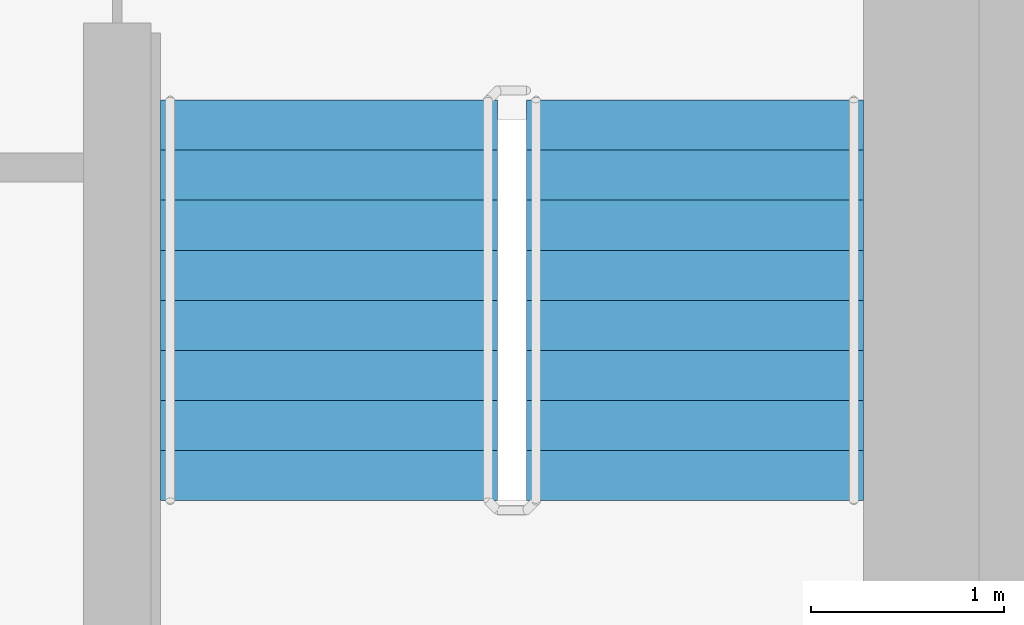
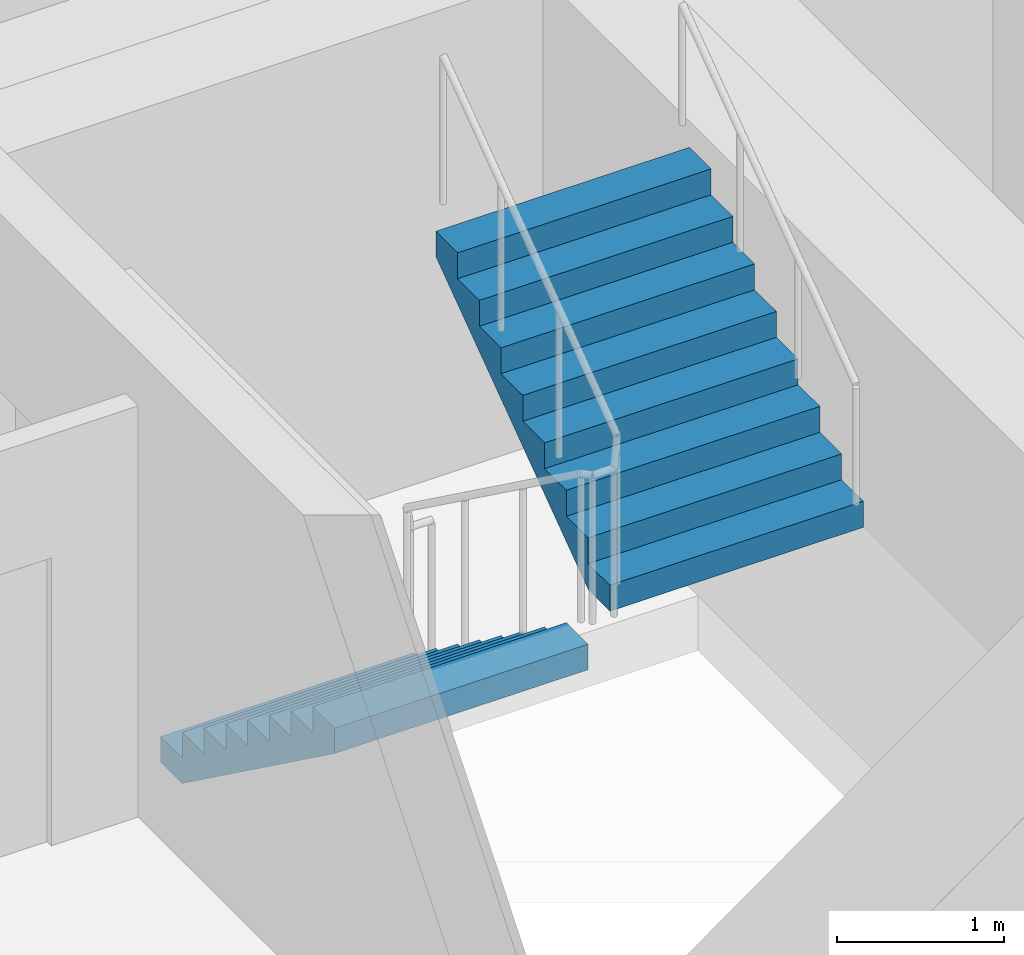
# One storey, part 14 of 18: 2 stair flights, 1 element without a shape of its own.
"""IFC4 building model written with IfcOpenShell, lengths in metres."""

from ifc_helpers import new_model, si_unit, direction, frame, origin, place, context, subcontext, project, spatial, faceted_brep, material, type_object, element, aggregate, save


model = new_model("IFC4")

# Units and contexts
model_context = context("Model", 3, precision=1e-05, world=origin(), true_north=direction((0.0, 1.0)))
body_context = subcontext(model_context, "Body", "Model", "MODEL_VIEW")
ifc_project = project(units=[si_unit("LENGTHUNIT", "METRE"), si_unit("AREAUNIT", "SQUARE_METRE"), si_unit("VOLUMEUNIT", "CUBIC_METRE"), si_unit("PLANEANGLEUNIT", "RADIAN"), si_unit("MASSUNIT", "GRAM", prefix="KILO")], contexts=[model_context])

# Site, building, storey
site_placement = place(None, origin())
site = spatial("IfcSite", under=ifc_project, at=site_placement, CompositionType="ELEMENT")
building_placement = place(site_placement, origin())
building = spatial("IfcBuilding", under=site, at=building_placement, Name="Ipe Terrace Towers", CompositionType="ELEMENT")
storey_placement = place(building_placement, frame((0.0, 0.0, 209.60009765625)))
storey = spatial("IfcBuildingStorey", under=building, at=storey_placement, Name="L58", CompositionType="ELEMENT", Elevation=209.60009765625)

# Stair, stair flights
ifc_material_1 = material(Name="Concrete C30/37", Category="concrete")
stair_type = type_object("IfcStairType", Name="Protected exit stair", PredefinedType="HALF_TURN_STAIR", material=ifc_material_1)
stair_placement = place(storey_placement, origin())
stair = element("IfcStair", 1, at=stair_placement, inside=storey, type_object=stair_type, Name="L58 Exit stair T2-C2", PredefinedType="HALF_TURN_STAIR")
ifc_material_2 = material(Name="Concrete C30/37", Category="concrete")
stair_flight_type = type_object("IfcStairFlightType", Name="Exit stair flight 1750", PredefinedType="STRAIGHT", material=ifc_material_2)
stair_flight_1_placement = place(storey_placement, frame((38.77490234375, -9.699951171875, 0.0), z_axis=(0.0, 0.0, 1.0), x_axis=(0.0, -1.0, 0.0)))
stair_flight_1 = element("IfcStairFlight", 2, at=stair_flight_1_placement, type_object=stair_flight_type, Name="T2-ST2 flight 1", NumberOfRisers=9, NumberOfTreads=8, PredefinedType="STRAIGHT", RiserHeight=0.188888889, TreadLength=0.26, context=body_context, shape_type="Brep", body=[
    faceted_brep([(0.255126953125, -0.875, 0.0), (2.080078125, -0.875, 1.325927734375), (2.080078125, -0.875, 1.51123046875), (1.820068359375, -0.875, 1.51123046875), (1.820068359375, -0.875, 1.322265625), (1.56005859375, -0.875, 1.322265625), (1.56005859375, -0.875, 1.13330078125), (1.300048828125, -0.875, 1.13330078125), (1.300048828125, -0.875, 0.9443359375), (1.0400390625, -0.875, 0.9443359375), (1.0400390625, -0.875, 0.755615234375), (0.780029296875, -0.875, 0.755615234375), (0.780029296875, -0.875, 0.566650390625), (0.52001953125, -0.875, 0.566650390625), (0.52001953125, -0.875, 0.377685546875), (0.260009765625, -0.875, 0.377685546875), (0.260009765625, -0.875, 0.18896484375), (0.0, -0.875, 0.18896484375), (0.0, -0.875, 0.0), (0.0, 0.875, 0.0), (0.0, 0.875, 0.18896484375), (0.260009765625, 0.875, 0.18896484375), (0.260009765625, 0.875, 0.377685546875), (0.52001953125, 0.875, 0.377685546875), (0.52001953125, 0.875, 0.566650390625), (0.780029296875, 0.875, 0.566650390625), (0.780029296875, 0.875, 0.755615234375), (1.0400390625, 0.875, 0.755615234375), (1.0400390625, 0.875, 0.9443359375), (1.300048828125, 0.875, 0.9443359375), (1.300048828125, 0.875, 1.13330078125), (1.56005859375, 0.875, 1.13330078125), (1.56005859375, 0.875, 1.322265625), (1.820068359375, 0.875, 1.322265625), (1.820068359375, 0.875, 1.51123046875), (2.080078125, 0.875, 1.51123046875), (2.080078125, 0.875, 1.325927734375), (0.255126953125, 0.875, 0.0), (0.0, -0.300048828125, 0.18896484375), (0.0, -0.1201171875, 0.18896484375), (0.0, -0.06005859375, 0.18896484375), (0.0, -0.030029296875, 0.18896484375), (0.0, -0.010009765625, 0.18896484375), (0.0, 0.0, 0.18896484375), (0.0, 0.010009765625, 0.18896484375), (0.0, 0.030029296875, 0.18896484375), (0.0, 0.06005859375, 0.18896484375), (0.0, 0.1201171875, 0.18896484375), (0.0, 0.300048828125, 0.18896484375), (0.0, 0.300048828125, 0.0), (0.0, 0.1201171875, 0.0), (0.0, 0.06005859375, 0.0), (0.0, 0.030029296875, 0.0), (0.0, 0.010009765625, 0.0), (0.0, 0.0, 0.0), (0.0, -0.010009765625, 0.0), (0.0, -0.030029296875, 0.0), (0.0, -0.06005859375, 0.0), (0.0, -0.1201171875, 0.0), (0.0, -0.300048828125, 0.0), (0.260009765625, -0.300048828125, 0.18896484375), (0.260009765625, -0.1201171875, 0.18896484375), (0.260009765625, -0.06005859375, 0.18896484375), (0.260009765625, -0.030029296875, 0.18896484375), (0.260009765625, -0.010009765625, 0.18896484375), (0.260009765625, 0.0, 0.18896484375), (0.260009765625, 0.010009765625, 0.18896484375), (0.260009765625, 0.030029296875, 0.18896484375), (0.260009765625, 0.06005859375, 0.18896484375), (0.260009765625, 0.1201171875, 0.18896484375), (0.260009765625, 0.300048828125, 0.18896484375), (0.260009765625, -0.300048828125, 0.377685546875), (0.260009765625, -0.1201171875, 0.377685546875), (0.260009765625, -0.06005859375, 0.377685546875), (0.260009765625, -0.030029296875, 0.377685546875), (0.260009765625, -0.010009765625, 0.377685546875), (0.260009765625, 0.0, 0.377685546875), (0.260009765625, 0.010009765625, 0.377685546875), (0.260009765625, 0.030029296875, 0.377685546875), (0.260009765625, 0.06005859375, 0.377685546875), (0.260009765625, 0.1201171875, 0.377685546875), (0.260009765625, 0.300048828125, 0.377685546875), (0.52001953125, -0.300048828125, 0.377685546875), (0.52001953125, -0.1201171875, 0.377685546875), (0.52001953125, -0.06005859375, 0.377685546875), (0.52001953125, -0.030029296875, 0.377685546875), (0.52001953125, -0.010009765625, 0.377685546875), (0.52001953125, 0.0, 0.377685546875), (0.52001953125, 0.010009765625, 0.377685546875), (0.52001953125, 0.030029296875, 0.377685546875), (0.52001953125, 0.06005859375, 0.377685546875), (0.52001953125, 0.1201171875, 0.377685546875), (0.52001953125, 0.300048828125, 0.377685546875), (0.52001953125, -0.300048828125, 0.566650390625), (0.52001953125, -0.1201171875, 0.566650390625), (0.52001953125, -0.06005859375, 0.566650390625), (0.52001953125, -0.030029296875, 0.566650390625), (0.52001953125, -0.010009765625, 0.566650390625), (0.52001953125, 0.0, 0.566650390625), (0.52001953125, 0.010009765625, 0.566650390625), (0.52001953125, 0.030029296875, 0.566650390625), (0.52001953125, 0.06005859375, 0.566650390625), (0.52001953125, 0.1201171875, 0.566650390625), (0.52001953125, 0.300048828125, 0.566650390625), (0.780029296875, -0.300048828125, 0.566650390625), (0.780029296875, -0.1201171875, 0.566650390625), (0.780029296875, -0.06005859375, 0.566650390625), (0.780029296875, -0.030029296875, 0.566650390625), (0.780029296875, -0.010009765625, 0.566650390625), (0.780029296875, 0.0, 0.566650390625), (0.780029296875, 0.010009765625, 0.566650390625), (0.780029296875, 0.030029296875, 0.566650390625), (0.780029296875, 0.06005859375, 0.566650390625), (0.780029296875, 0.1201171875, 0.566650390625), (0.780029296875, 0.300048828125, 0.566650390625), (0.780029296875, -0.300048828125, 0.755615234375), (0.780029296875, -0.1201171875, 0.755615234375), (0.780029296875, -0.06005859375, 0.755615234375), (0.780029296875, -0.030029296875, 0.755615234375), (0.780029296875, -0.010009765625, 0.755615234375), (0.780029296875, 0.0, 0.755615234375), (0.780029296875, 0.010009765625, 0.755615234375), (0.780029296875, 0.030029296875, 0.755615234375), (0.780029296875, 0.06005859375, 0.755615234375), (0.780029296875, 0.1201171875, 0.755615234375), (0.780029296875, 0.300048828125, 0.755615234375), (1.0400390625, -0.300048828125, 0.755615234375), (1.0400390625, -0.1201171875, 0.755615234375), (1.0400390625, -0.06005859375, 0.755615234375), (1.0400390625, -0.030029296875, 0.755615234375), (1.0400390625, -0.010009765625, 0.755615234375), (1.0400390625, 0.0, 0.755615234375), (1.0400390625, 0.010009765625, 0.755615234375), (1.0400390625, 0.030029296875, 0.755615234375), (1.0400390625, 0.06005859375, 0.755615234375), (1.0400390625, 0.1201171875, 0.755615234375), (1.0400390625, 0.300048828125, 0.755615234375), (1.0400390625, -0.300048828125, 0.9443359375), (1.0400390625, -0.1201171875, 0.9443359375), (1.0400390625, -0.06005859375, 0.9443359375), (1.0400390625, -0.030029296875, 0.9443359375), (1.0400390625, -0.010009765625, 0.9443359375), (1.0400390625, 0.0, 0.9443359375), (1.0400390625, 0.010009765625, 0.9443359375), (1.0400390625, 0.030029296875, 0.9443359375), (1.0400390625, 0.06005859375, 0.9443359375), (1.0400390625, 0.1201171875, 0.9443359375), (1.0400390625, 0.300048828125, 0.9443359375), (1.300048828125, -0.300048828125, 0.9443359375), (1.300048828125, -0.1201171875, 0.9443359375), (1.300048828125, -0.06005859375, 0.9443359375), (1.300048828125, -0.030029296875, 0.9443359375), (1.300048828125, -0.010009765625, 0.9443359375), (1.300048828125, 0.0, 0.9443359375), (1.300048828125, 0.010009765625, 0.9443359375), (1.300048828125, 0.030029296875, 0.9443359375), (1.300048828125, 0.06005859375, 0.9443359375), (1.300048828125, 0.1201171875, 0.9443359375), (1.300048828125, 0.300048828125, 0.9443359375), (1.300048828125, -0.300048828125, 1.13330078125), (1.300048828125, -0.1201171875, 1.13330078125), (1.300048828125, -0.06005859375, 1.13330078125), (1.300048828125, -0.030029296875, 1.13330078125), (1.300048828125, -0.010009765625, 1.13330078125), (1.300048828125, 0.0, 1.13330078125), (1.300048828125, 0.010009765625, 1.13330078125), (1.300048828125, 0.030029296875, 1.13330078125), (1.300048828125, 0.06005859375, 1.13330078125), (1.300048828125, 0.1201171875, 1.13330078125), (1.300048828125, 0.300048828125, 1.13330078125), (1.56005859375, -0.300048828125, 1.13330078125), (1.56005859375, -0.1201171875, 1.13330078125), (1.56005859375, -0.06005859375, 1.13330078125), (1.56005859375, -0.030029296875, 1.13330078125), (1.56005859375, -0.010009765625, 1.13330078125), (1.56005859375, 0.0, 1.13330078125), (1.56005859375, 0.010009765625, 1.13330078125), (1.56005859375, 0.030029296875, 1.13330078125), (1.56005859375, 0.06005859375, 1.13330078125), (1.56005859375, 0.1201171875, 1.13330078125), (1.56005859375, 0.300048828125, 1.13330078125), (1.56005859375, -0.300048828125, 1.322265625), (1.56005859375, -0.1201171875, 1.322265625), (1.56005859375, -0.06005859375, 1.322265625), (1.56005859375, -0.030029296875, 1.322265625), (1.56005859375, -0.010009765625, 1.322265625), (1.56005859375, 0.0, 1.322265625), (1.56005859375, 0.010009765625, 1.322265625), (1.56005859375, 0.030029296875, 1.322265625), (1.56005859375, 0.06005859375, 1.322265625), (1.56005859375, 0.1201171875, 1.322265625), (1.56005859375, 0.300048828125, 1.322265625), (1.820068359375, -0.300048828125, 1.322265625), (1.820068359375, -0.1201171875, 1.322265625), (1.820068359375, -0.06005859375, 1.322265625), (1.820068359375, -0.030029296875, 1.322265625), (1.820068359375, -0.010009765625, 1.322265625), (1.820068359375, 0.0, 1.322265625), (1.820068359375, 0.010009765625, 1.322265625), (1.820068359375, 0.030029296875, 1.322265625), (1.820068359375, 0.06005859375, 1.322265625), (1.820068359375, 0.1201171875, 1.322265625), (1.820068359375, 0.300048828125, 1.322265625), (1.820068359375, -0.300048828125, 1.51123046875), (1.820068359375, -0.1201171875, 1.51123046875), (1.820068359375, -0.06005859375, 1.51123046875), (1.820068359375, -0.030029296875, 1.51123046875), (1.820068359375, -0.010009765625, 1.51123046875), (1.820068359375, 0.0, 1.51123046875), (1.820068359375, 0.010009765625, 1.51123046875), (1.820068359375, 0.030029296875, 1.51123046875), (1.820068359375, 0.06005859375, 1.51123046875), (1.820068359375, 0.1201171875, 1.51123046875), (1.820068359375, 0.300048828125, 1.51123046875), (2.080078125, -0.300048828125, 1.51123046875), (2.080078125, -0.1201171875, 1.51123046875), (2.080078125, -0.06005859375, 1.51123046875), (2.080078125, -0.030029296875, 1.51123046875), (2.080078125, -0.010009765625, 1.51123046875), (2.080078125, 0.0, 1.51123046875), (2.080078125, 0.010009765625, 1.51123046875), (2.080078125, 0.030029296875, 1.51123046875), (2.080078125, 0.06005859375, 1.51123046875), (2.080078125, 0.1201171875, 1.51123046875), (2.080078125, 0.300048828125, 1.51123046875), (2.080078125, -0.300048828125, 1.325927734375), (2.080078125, -0.1201171875, 1.325927734375), (2.080078125, -0.06005859375, 1.325927734375), (2.080078125, -0.030029296875, 1.325927734375), (2.080078125, -0.010009765625, 1.325927734375), (2.080078125, 0.0, 1.325927734375), (2.080078125, 0.010009765625, 1.325927734375), (2.080078125, 0.030029296875, 1.325927734375), (2.080078125, 0.06005859375, 1.325927734375), (2.080078125, 0.1201171875, 1.325927734375), (2.080078125, 0.300048828125, 1.325927734375), (0.255126953125, -0.300048828125, 0.0), (0.255126953125, -0.1201171875, 0.0), (0.255126953125, -0.06005859375, 0.0), (0.255126953125, -0.030029296875, 0.0), (0.255126953125, -0.010009765625, 0.0), (0.255126953125, 0.0, 0.0), (0.255126953125, 0.010009765625, 0.0), (0.255126953125, 0.030029296875, 0.0), (0.255126953125, 0.06005859375, 0.0), (0.255126953125, 0.1201171875, 0.0), (0.255126953125, 0.300048828125, 0.0)], [[[0, 1, 2, 3, 4, 5, 6, 7, 8, 9, 10, 11, 12, 13, 14, 15, 16, 17, 18]], [[19, 20, 21, 22, 23, 24, 25, 26, 27, 28, 29, 30, 31, 32, 33, 34, 35, 36, 37]], [[17, 38, 39, 40, 41, 42, 43, 44, 45, 46, 47, 48, 20, 19, 49, 50, 51, 52, 53, 54, 55, 56, 57, 58, 59, 18]], [[16, 60, 61, 62, 63, 64, 65, 66, 67, 68, 69, 70, 21, 20, 48, 47, 46, 45, 44, 43, 42, 41, 40, 39, 38, 17]], [[15, 71, 72, 73, 74, 75, 76, 77, 78, 79, 80, 81, 22, 21, 70, 69, 68, 67, 66, 65, 64, 63, 62, 61, 60, 16]], [[14, 82, 83, 84, 85, 86, 87, 88, 89, 90, 91, 92, 23, 22, 81, 80, 79, 78, 77, 76, 75, 74, 73, 72, 71, 15]], [[13, 93, 94, 95, 96, 97, 98, 99, 100, 101, 102, 103, 24, 23, 92, 91, 90, 89, 88, 87, 86, 85, 84, 83, 82, 14]], [[12, 104, 105, 106, 107, 108, 109, 110, 111, 112, 113, 114, 25, 24, 103, 102, 101, 100, 99, 98, 97, 96, 95, 94, 93, 13]], [[11, 115, 116, 117, 118, 119, 120, 121, 122, 123, 124, 125, 26, 25, 114, 113, 112, 111, 110, 109, 108, 107, 106, 105, 104, 12]], [[10, 126, 127, 128, 129, 130, 131, 132, 133, 134, 135, 136, 27, 26, 125, 124, 123, 122, 121, 120, 119, 118, 117, 116, 115, 11]], [[9, 137, 138, 139, 140, 141, 142, 143, 144, 145, 146, 147, 28, 27, 136, 135, 134, 133, 132, 131, 130, 129, 128, 127, 126, 10]], [[8, 148, 149, 150, 151, 152, 153, 154, 155, 156, 157, 158, 29, 28, 147, 146, 145, 144, 143, 142, 141, 140, 139, 138, 137, 9]], [[7, 159, 160, 161, 162, 163, 164, 165, 166, 167, 168, 169, 30, 29, 158, 157, 156, 155, 154, 153, 152, 151, 150, 149, 148, 8]], [[6, 170, 171, 172, 173, 174, 175, 176, 177, 178, 179, 180, 31, 30, 169, 168, 167, 166, 165, 164, 163, 162, 161, 160, 159, 7]], [[5, 181, 182, 183, 184, 185, 186, 187, 188, 189, 190, 191, 32, 31, 180, 179, 178, 177, 176, 175, 174, 173, 172, 171, 170, 6]], [[4, 192, 193, 194, 195, 196, 197, 198, 199, 200, 201, 202, 33, 32, 191, 190, 189, 188, 187, 186, 185, 184, 183, 182, 181, 5]], [[3, 203, 204, 205, 206, 207, 208, 209, 210, 211, 212, 213, 34, 33, 202, 201, 200, 199, 198, 197, 196, 195, 194, 193, 192, 4]], [[2, 214, 215, 216, 217, 218, 219, 220, 221, 222, 223, 224, 35, 34, 213, 212, 211, 210, 209, 208, 207, 206, 205, 204, 203, 3]], [[1, 225, 226, 227, 228, 229, 230, 231, 232, 233, 234, 235, 36, 35, 224, 223, 222, 221, 220, 219, 218, 217, 216, 215, 214, 2]], [[0, 236, 237, 238, 239, 240, 241, 242, 243, 244, 245, 246, 37, 36, 235, 234, 233, 232, 231, 230, 229, 228, 227, 226, 225, 1]], [[18, 59, 58, 57, 56, 55, 54, 53, 52, 51, 50, 49, 19, 37, 246, 245, 244, 243, 242, 241, 240, 239, 238, 237, 236, 0]]]),
])
stair_flight_2_placement = place(storey_placement, frame((40.675048828125, -11.780029296875, 1.699951171875), z_axis=(0.0, 0.0, 1.0), x_axis=(0.0, 1.0, 0.0)))
stair_flight_2 = element("IfcStairFlight", 3, at=stair_flight_2_placement, type_object=stair_flight_type, Name="T2-ST2 flight 2", NumberOfRisers=9, NumberOfTreads=8, PredefinedType="STRAIGHT", RiserHeight=0.188888889, TreadLength=0.26, context=body_context, shape_type="Brep", body=[
    faceted_brep([(0.255126953125, -0.875, 0.0), (2.080078125, -0.875, 1.325927734375), (2.080078125, -0.875, 1.51123046875), (1.820068359375, -0.875, 1.51123046875), (1.820068359375, -0.875, 1.322265625), (1.56005859375, -0.875, 1.322265625), (1.56005859375, -0.875, 1.13330078125), (1.300048828125, -0.875, 1.13330078125), (1.300048828125, -0.875, 0.9443359375), (1.0400390625, -0.875, 0.9443359375), (1.0400390625, -0.875, 0.755615234375), (0.780029296875, -0.875, 0.755615234375), (0.780029296875, -0.875, 0.566650390625), (0.52001953125, -0.875, 0.566650390625), (0.52001953125, -0.875, 0.377685546875), (0.260009765625, -0.875, 0.377685546875), (0.260009765625, -0.875, 0.18896484375), (0.0, -0.875, 0.18896484375), (0.0, -0.875, 0.0), (0.0, 0.875, 0.0), (0.0, 0.875, 0.18896484375), (0.260009765625, 0.875, 0.18896484375), (0.260009765625, 0.875, 0.377685546875), (0.52001953125, 0.875, 0.377685546875), (0.52001953125, 0.875, 0.566650390625), (0.780029296875, 0.875, 0.566650390625), (0.780029296875, 0.875, 0.755615234375), (1.0400390625, 0.875, 0.755615234375), (1.0400390625, 0.875, 0.9443359375), (1.300048828125, 0.875, 0.9443359375), (1.300048828125, 0.875, 1.13330078125), (1.56005859375, 0.875, 1.13330078125), (1.56005859375, 0.875, 1.322265625), (1.820068359375, 0.875, 1.322265625), (1.820068359375, 0.875, 1.51123046875), (2.080078125, 0.875, 1.51123046875), (2.080078125, 0.875, 1.325927734375), (0.255126953125, 0.875, 0.0), (0.0, -0.300048828125, 0.18896484375), (0.0, -0.1201171875, 0.18896484375), (0.0, -0.06005859375, 0.18896484375), (0.0, -0.030029296875, 0.18896484375), (0.0, -0.010009765625, 0.18896484375), (0.0, 0.0, 0.18896484375), (0.0, 0.010009765625, 0.18896484375), (0.0, 0.030029296875, 0.18896484375), (0.0, 0.06005859375, 0.18896484375), (0.0, 0.1201171875, 0.18896484375), (0.0, 0.300048828125, 0.18896484375), (0.0, 0.300048828125, 0.0), (0.0, 0.1201171875, 0.0), (0.0, 0.06005859375, 0.0), (0.0, 0.030029296875, 0.0), (0.0, 0.010009765625, 0.0), (0.0, 0.0, 0.0), (0.0, -0.010009765625, 0.0), (0.0, -0.030029296875, 0.0), (0.0, -0.06005859375, 0.0), (0.0, -0.1201171875, 0.0), (0.0, -0.300048828125, 0.0), (0.260009765625, -0.300048828125, 0.18896484375), (0.260009765625, -0.1201171875, 0.18896484375), (0.260009765625, -0.06005859375, 0.18896484375), (0.260009765625, -0.030029296875, 0.18896484375), (0.260009765625, -0.010009765625, 0.18896484375), (0.260009765625, 0.0, 0.18896484375), (0.260009765625, 0.010009765625, 0.18896484375), (0.260009765625, 0.030029296875, 0.18896484375), (0.260009765625, 0.06005859375, 0.18896484375), (0.260009765625, 0.1201171875, 0.18896484375), (0.260009765625, 0.300048828125, 0.18896484375), (0.260009765625, -0.300048828125, 0.377685546875), (0.260009765625, -0.1201171875, 0.377685546875), (0.260009765625, -0.06005859375, 0.377685546875), (0.260009765625, -0.030029296875, 0.377685546875), (0.260009765625, -0.010009765625, 0.377685546875), (0.260009765625, 0.0, 0.377685546875), (0.260009765625, 0.010009765625, 0.377685546875), (0.260009765625, 0.030029296875, 0.377685546875), (0.260009765625, 0.06005859375, 0.377685546875), (0.260009765625, 0.1201171875, 0.377685546875), (0.260009765625, 0.300048828125, 0.377685546875), (0.52001953125, -0.300048828125, 0.377685546875), (0.52001953125, -0.1201171875, 0.377685546875), (0.52001953125, -0.06005859375, 0.377685546875), (0.52001953125, -0.030029296875, 0.377685546875), (0.52001953125, -0.010009765625, 0.377685546875), (0.52001953125, 0.0, 0.377685546875), (0.52001953125, 0.010009765625, 0.377685546875), (0.52001953125, 0.030029296875, 0.377685546875), (0.52001953125, 0.06005859375, 0.377685546875), (0.52001953125, 0.1201171875, 0.377685546875), (0.52001953125, 0.300048828125, 0.377685546875), (0.52001953125, -0.300048828125, 0.566650390625), (0.52001953125, -0.1201171875, 0.566650390625), (0.52001953125, -0.06005859375, 0.566650390625), (0.52001953125, -0.030029296875, 0.566650390625), (0.52001953125, -0.010009765625, 0.566650390625), (0.52001953125, 0.0, 0.566650390625), (0.52001953125, 0.010009765625, 0.566650390625), (0.52001953125, 0.030029296875, 0.566650390625), (0.52001953125, 0.06005859375, 0.566650390625), (0.52001953125, 0.1201171875, 0.566650390625), (0.52001953125, 0.300048828125, 0.566650390625), (0.780029296875, -0.300048828125, 0.566650390625), (0.780029296875, -0.1201171875, 0.566650390625), (0.780029296875, -0.06005859375, 0.566650390625), (0.780029296875, -0.030029296875, 0.566650390625), (0.780029296875, -0.010009765625, 0.566650390625), (0.780029296875, 0.0, 0.566650390625), (0.780029296875, 0.010009765625, 0.566650390625), (0.780029296875, 0.030029296875, 0.566650390625), (0.780029296875, 0.06005859375, 0.566650390625), (0.780029296875, 0.1201171875, 0.566650390625), (0.780029296875, 0.300048828125, 0.566650390625), (0.780029296875, -0.300048828125, 0.755615234375), (0.780029296875, -0.1201171875, 0.755615234375), (0.780029296875, -0.06005859375, 0.755615234375), (0.780029296875, -0.030029296875, 0.755615234375), (0.780029296875, -0.010009765625, 0.755615234375), (0.780029296875, 0.0, 0.755615234375), (0.780029296875, 0.010009765625, 0.755615234375), (0.780029296875, 0.030029296875, 0.755615234375), (0.780029296875, 0.06005859375, 0.755615234375), (0.780029296875, 0.1201171875, 0.755615234375), (0.780029296875, 0.300048828125, 0.755615234375), (1.0400390625, -0.300048828125, 0.755615234375), (1.0400390625, -0.1201171875, 0.755615234375), (1.0400390625, -0.06005859375, 0.755615234375), (1.0400390625, -0.030029296875, 0.755615234375), (1.0400390625, -0.010009765625, 0.755615234375), (1.0400390625, 0.0, 0.755615234375), (1.0400390625, 0.010009765625, 0.755615234375), (1.0400390625, 0.030029296875, 0.755615234375), (1.0400390625, 0.06005859375, 0.755615234375), (1.0400390625, 0.1201171875, 0.755615234375), (1.0400390625, 0.300048828125, 0.755615234375), (1.0400390625, -0.300048828125, 0.9443359375), (1.0400390625, -0.1201171875, 0.9443359375), (1.0400390625, -0.06005859375, 0.9443359375), (1.0400390625, -0.030029296875, 0.9443359375), (1.0400390625, -0.010009765625, 0.9443359375), (1.0400390625, 0.0, 0.9443359375), (1.0400390625, 0.010009765625, 0.9443359375), (1.0400390625, 0.030029296875, 0.9443359375), (1.0400390625, 0.06005859375, 0.9443359375), (1.0400390625, 0.1201171875, 0.9443359375), (1.0400390625, 0.300048828125, 0.9443359375), (1.300048828125, -0.300048828125, 0.9443359375), (1.300048828125, -0.1201171875, 0.9443359375), (1.300048828125, -0.06005859375, 0.9443359375), (1.300048828125, -0.030029296875, 0.9443359375), (1.300048828125, -0.010009765625, 0.9443359375), (1.300048828125, 0.0, 0.9443359375), (1.300048828125, 0.010009765625, 0.9443359375), (1.300048828125, 0.030029296875, 0.9443359375), (1.300048828125, 0.06005859375, 0.9443359375), (1.300048828125, 0.1201171875, 0.9443359375), (1.300048828125, 0.300048828125, 0.9443359375), (1.300048828125, -0.300048828125, 1.13330078125), (1.300048828125, -0.1201171875, 1.13330078125), (1.300048828125, -0.06005859375, 1.13330078125), (1.300048828125, -0.030029296875, 1.13330078125), (1.300048828125, -0.010009765625, 1.13330078125), (1.300048828125, 0.0, 1.13330078125), (1.300048828125, 0.010009765625, 1.13330078125), (1.300048828125, 0.030029296875, 1.13330078125), (1.300048828125, 0.06005859375, 1.13330078125), (1.300048828125, 0.1201171875, 1.13330078125), (1.300048828125, 0.300048828125, 1.13330078125), (1.56005859375, -0.300048828125, 1.13330078125), (1.56005859375, -0.1201171875, 1.13330078125), (1.56005859375, -0.06005859375, 1.13330078125), (1.56005859375, -0.030029296875, 1.13330078125), (1.56005859375, -0.010009765625, 1.13330078125), (1.56005859375, 0.0, 1.13330078125), (1.56005859375, 0.010009765625, 1.13330078125), (1.56005859375, 0.030029296875, 1.13330078125), (1.56005859375, 0.06005859375, 1.13330078125), (1.56005859375, 0.1201171875, 1.13330078125), (1.56005859375, 0.300048828125, 1.13330078125), (1.56005859375, -0.300048828125, 1.322265625), (1.56005859375, -0.1201171875, 1.322265625), (1.56005859375, -0.06005859375, 1.322265625), (1.56005859375, -0.030029296875, 1.322265625), (1.56005859375, -0.010009765625, 1.322265625), (1.56005859375, 0.0, 1.322265625), (1.56005859375, 0.010009765625, 1.322265625), (1.56005859375, 0.030029296875, 1.322265625), (1.56005859375, 0.06005859375, 1.322265625), (1.56005859375, 0.1201171875, 1.322265625), (1.56005859375, 0.300048828125, 1.322265625), (1.820068359375, -0.300048828125, 1.322265625), (1.820068359375, -0.1201171875, 1.322265625), (1.820068359375, -0.06005859375, 1.322265625), (1.820068359375, -0.030029296875, 1.322265625), (1.820068359375, -0.010009765625, 1.322265625), (1.820068359375, 0.0, 1.322265625), (1.820068359375, 0.010009765625, 1.322265625), (1.820068359375, 0.030029296875, 1.322265625), (1.820068359375, 0.06005859375, 1.322265625), (1.820068359375, 0.1201171875, 1.322265625), (1.820068359375, 0.300048828125, 1.322265625), (1.820068359375, -0.300048828125, 1.51123046875), (1.820068359375, -0.1201171875, 1.51123046875), (1.820068359375, -0.06005859375, 1.51123046875), (1.820068359375, -0.030029296875, 1.51123046875), (1.820068359375, -0.010009765625, 1.51123046875), (1.820068359375, 0.0, 1.51123046875), (1.820068359375, 0.010009765625, 1.51123046875), (1.820068359375, 0.030029296875, 1.51123046875), (1.820068359375, 0.06005859375, 1.51123046875), (1.820068359375, 0.1201171875, 1.51123046875), (1.820068359375, 0.300048828125, 1.51123046875), (2.080078125, -0.300048828125, 1.51123046875), (2.080078125, -0.1201171875, 1.51123046875), (2.080078125, -0.06005859375, 1.51123046875), (2.080078125, -0.030029296875, 1.51123046875), (2.080078125, -0.010009765625, 1.51123046875), (2.080078125, 0.0, 1.51123046875), (2.080078125, 0.010009765625, 1.51123046875), (2.080078125, 0.030029296875, 1.51123046875), (2.080078125, 0.06005859375, 1.51123046875), (2.080078125, 0.1201171875, 1.51123046875), (2.080078125, 0.300048828125, 1.51123046875), (2.080078125, -0.300048828125, 1.325927734375), (2.080078125, -0.1201171875, 1.325927734375), (2.080078125, -0.06005859375, 1.325927734375), (2.080078125, -0.030029296875, 1.325927734375), (2.080078125, -0.010009765625, 1.325927734375), (2.080078125, 0.0, 1.325927734375), (2.080078125, 0.010009765625, 1.325927734375), (2.080078125, 0.030029296875, 1.325927734375), (2.080078125, 0.06005859375, 1.325927734375), (2.080078125, 0.1201171875, 1.325927734375), (2.080078125, 0.300048828125, 1.325927734375), (0.255126953125, -0.300048828125, 0.0), (0.255126953125, -0.1201171875, 0.0), (0.255126953125, -0.06005859375, 0.0), (0.255126953125, -0.030029296875, 0.0), (0.255126953125, -0.010009765625, 0.0), (0.255126953125, 0.0, 0.0), (0.255126953125, 0.010009765625, 0.0), (0.255126953125, 0.030029296875, 0.0), (0.255126953125, 0.06005859375, 0.0), (0.255126953125, 0.1201171875, 0.0), (0.255126953125, 0.300048828125, 0.0)], [[[0, 1, 2, 3, 4, 5, 6, 7, 8, 9, 10, 11, 12, 13, 14, 15, 16, 17, 18]], [[19, 20, 21, 22, 23, 24, 25, 26, 27, 28, 29, 30, 31, 32, 33, 34, 35, 36, 37]], [[17, 38, 39, 40, 41, 42, 43, 44, 45, 46, 47, 48, 20, 19, 49, 50, 51, 52, 53, 54, 55, 56, 57, 58, 59, 18]], [[16, 60, 61, 62, 63, 64, 65, 66, 67, 68, 69, 70, 21, 20, 48, 47, 46, 45, 44, 43, 42, 41, 40, 39, 38, 17]], [[15, 71, 72, 73, 74, 75, 76, 77, 78, 79, 80, 81, 22, 21, 70, 69, 68, 67, 66, 65, 64, 63, 62, 61, 60, 16]], [[14, 82, 83, 84, 85, 86, 87, 88, 89, 90, 91, 92, 23, 22, 81, 80, 79, 78, 77, 76, 75, 74, 73, 72, 71, 15]], [[13, 93, 94, 95, 96, 97, 98, 99, 100, 101, 102, 103, 24, 23, 92, 91, 90, 89, 88, 87, 86, 85, 84, 83, 82, 14]], [[12, 104, 105, 106, 107, 108, 109, 110, 111, 112, 113, 114, 25, 24, 103, 102, 101, 100, 99, 98, 97, 96, 95, 94, 93, 13]], [[11, 115, 116, 117, 118, 119, 120, 121, 122, 123, 124, 125, 26, 25, 114, 113, 112, 111, 110, 109, 108, 107, 106, 105, 104, 12]], [[10, 126, 127, 128, 129, 130, 131, 132, 133, 134, 135, 136, 27, 26, 125, 124, 123, 122, 121, 120, 119, 118, 117, 116, 115, 11]], [[9, 137, 138, 139, 140, 141, 142, 143, 144, 145, 146, 147, 28, 27, 136, 135, 134, 133, 132, 131, 130, 129, 128, 127, 126, 10]], [[8, 148, 149, 150, 151, 152, 153, 154, 155, 156, 157, 158, 29, 28, 147, 146, 145, 144, 143, 142, 141, 140, 139, 138, 137, 9]], [[7, 159, 160, 161, 162, 163, 164, 165, 166, 167, 168, 169, 30, 29, 158, 157, 156, 155, 154, 153, 152, 151, 150, 149, 148, 8]], [[6, 170, 171, 172, 173, 174, 175, 176, 177, 178, 179, 180, 31, 30, 169, 168, 167, 166, 165, 164, 163, 162, 161, 160, 159, 7]], [[5, 181, 182, 183, 184, 185, 186, 187, 188, 189, 190, 191, 32, 31, 180, 179, 178, 177, 176, 175, 174, 173, 172, 171, 170, 6]], [[4, 192, 193, 194, 195, 196, 197, 198, 199, 200, 201, 202, 33, 32, 191, 190, 189, 188, 187, 186, 185, 184, 183, 182, 181, 5]], [[3, 203, 204, 205, 206, 207, 208, 209, 210, 211, 212, 213, 34, 33, 202, 201, 200, 199, 198, 197, 196, 195, 194, 193, 192, 4]], [[2, 214, 215, 216, 217, 218, 219, 220, 221, 222, 223, 224, 35, 34, 213, 212, 211, 210, 209, 208, 207, 206, 205, 204, 203, 3]], [[1, 225, 226, 227, 228, 229, 230, 231, 232, 233, 234, 235, 36, 35, 224, 223, 222, 221, 220, 219, 218, 217, 216, 215, 214, 2]], [[0, 236, 237, 238, 239, 240, 241, 242, 243, 244, 245, 246, 37, 36, 235, 234, 233, 232, 231, 230, 229, 228, 227, 226, 225, 1]], [[18, 59, 58, 57, 56, 55, 54, 53, 52, 51, 50, 49, 19, 37, 246, 245, 244, 243, 242, 241, 240, 239, 238, 237, 236, 0]]]),
])
aggregate(stair, [stair_flight_1, stair_flight_2])

save(model, "model.ifc")
